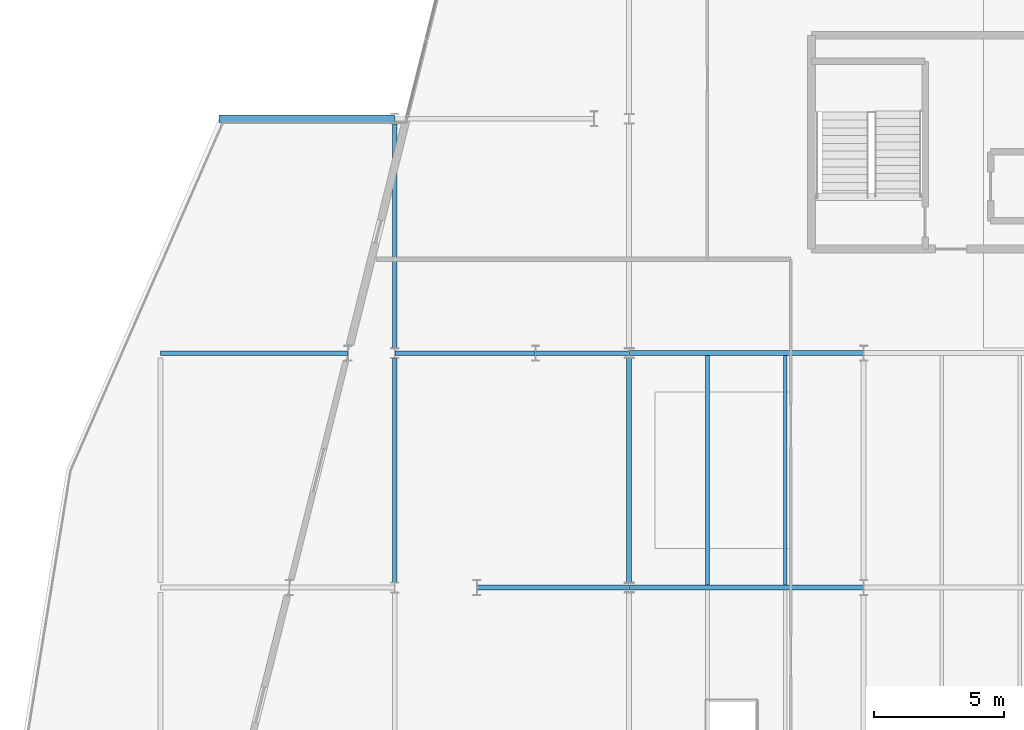
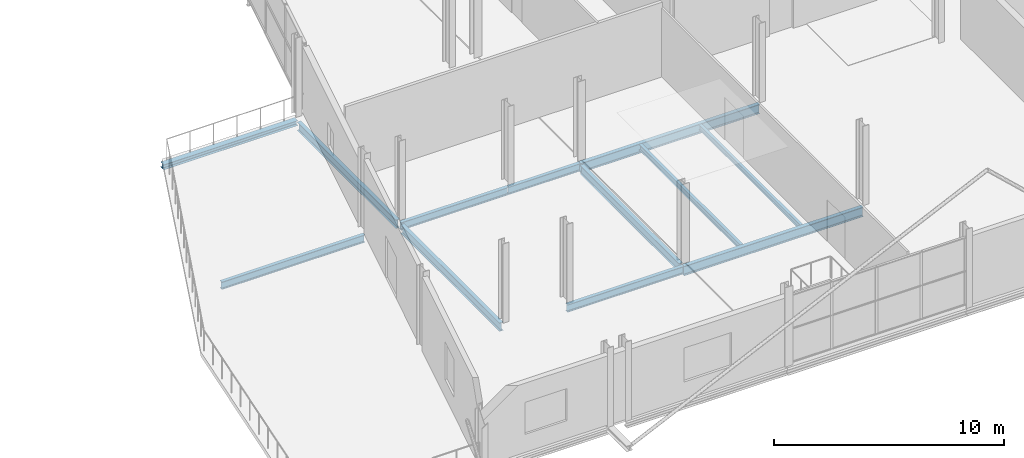
# One storey, part 11 of 59: 12 beams.
"""IFC4 building model written with IfcOpenShell, lengths in metres."""

from ifc_helpers import new_model, si_unit, direction, frame, origin, origin_2d, place, context, subcontext, project, spatial, i_section, extrude, material, material_profile, profile_set, type_object, element, save


model = new_model("IFC4")

# Units and contexts
model_context = context("Model", 3, precision=1e-05, world=origin(), true_north=direction((0.0, 1.0)))
body_context = subcontext(model_context, "Body", "Model", "MODEL_VIEW")
ifc_project = project(units=[si_unit("LENGTHUNIT", "METRE"), si_unit("AREAUNIT", "SQUARE_METRE"), si_unit("VOLUMEUNIT", "CUBIC_METRE"), si_unit("PLANEANGLEUNIT", "RADIAN"), si_unit("MASSUNIT", "GRAM", prefix="KILO")], contexts=[model_context])

# Site, building, storey
site_placement = place(None, origin())
site = spatial("IfcSite", under=ifc_project, at=site_placement, CompositionType="ELEMENT")
building_placement = place(site_placement, origin())
building = spatial("IfcBuilding", under=site, at=building_placement, Name="Deido Ridge Mobility Hub", CompositionType="ELEMENT")
storey_placement = place(building_placement, frame((0.0, 0.0, 21.0)))
storey = spatial("IfcBuildingStorey", under=building, at=storey_placement, Name="L05", CompositionType="ELEMENT", Elevation=21.0)

# Beams
ifc_material = material(Name="Steel S355J2 EN 10025-2", Category="steel")
ifc_material_profile_1 = material_profile(ifc_material, i_section(OverallWidth=0.179931640625, OverallDepth=0.39990234375, WebThickness=0.008544921875, FlangeThickness=0.013427734375, FilletRadius=0.02099609375, at=origin_2d()), Name="IPE 400")
ifc_profile_set_1 = profile_set([ifc_material_profile_1], Name="Steel S355J2 EN 10025-2")
beam_type_1 = type_object("IfcBeamType", Name="BM-IPE400", PredefinedType="BEAM", material=ifc_profile_set_1)
beam_1_placement = place(storey_placement, frame((138.15771484375, 9.0, -0.445068359375), z_axis=(1.0, 0.0, 0.0), x_axis=(0.0, 1.0, 0.0)))
element("IfcBeam", 1, at=beam_1_placement, inside=storey, type_object=beam_type_1, Name="Floor beam B5", PredefinedType="BEAM", context=body_context, shape_type="SweptSolid", body=[
    extrude(i_section(OverallWidth=0.179931640625, OverallDepth=0.39990234375, WebThickness=0.008544921875, FlangeThickness=0.013427734375, FilletRadius=0.02099609375, at=origin_2d()), origin(), (0.0, 0.0, 1.0), 5.83349609375),
])
beam_2_placement = place(storey_placement, frame((126.0087890625, 18.0, -0.445068359375), z_axis=(1.0, 0.0, 0.0), x_axis=(0.0, 1.0, 0.0)))
element("IfcBeam", 2, at=beam_2_placement, inside=storey, type_object=beam_type_1, Name="Floor beam B5", PredefinedType="BEAM", context=body_context, shape_type="SweptSolid", body=[
    extrude(i_section(OverallWidth=0.179931640625, OverallDepth=0.39990234375, WebThickness=0.008544921875, FlangeThickness=0.013427734375, FilletRadius=0.02099609375, at=origin_2d()), origin(), (0.0, 0.0, 1.0), 7.18359375),
])
beam_3_placement = place(storey_placement, frame((135.0068359375, 18.0, -0.445068359375), z_axis=(1.0, 0.0, 0.0), x_axis=(0.0, 1.0, 0.0)))
element("IfcBeam", 3, at=beam_3_placement, inside=storey, type_object=beam_type_1, Name="Floor beam B5", PredefinedType="BEAM", context=body_context, shape_type="SweptSolid", body=[
    extrude(i_section(OverallWidth=0.179931640625, OverallDepth=0.39990234375, WebThickness=0.008544921875, FlangeThickness=0.013427734375, FilletRadius=0.02099609375, at=origin_2d()), origin(), (0.0, 0.0, 1.0), 5.385498046875),
])
beam_4_placement = place(storey_placement, frame((140.40771484375, 18.0, -0.445068359375), z_axis=(1.0, 0.0, 0.0), x_axis=(0.0, 1.0, 0.0)))
element("IfcBeam", 4, at=beam_4_placement, inside=storey, type_object=beam_type_1, Name="Floor beam B5", PredefinedType="BEAM", context=body_context, shape_type="SweptSolid", body=[
    extrude(i_section(OverallWidth=0.179931640625, OverallDepth=0.39990234375, WebThickness=0.008544921875, FlangeThickness=0.013427734375, FilletRadius=0.02099609375, at=origin_2d()), origin(), (0.0, 0.0, 1.0), 3.58349609375),
])
ifc_material_profile_2 = material_profile(ifc_material, i_section(OverallWidth=0.18994140625, OverallDepth=0.449951171875, WebThickness=0.009521484375, FlangeThickness=0.0146484375, FilletRadius=0.02099609375, at=origin_2d()), Name="IPE 450")
ifc_profile_set_2 = profile_set([ifc_material_profile_2], Name="Steel S355J2 EN 10025-2")
beam_type_2 = type_object("IfcBeamType", Name="BM-IPE450", PredefinedType="BEAM", material=ifc_profile_set_2)
for number, where, z_axis, x_axis, name in (
    (5, (135.0, 9.199951171875, -0.469970703125), (0.0, 1.0, 0.0), (-1.0, 0.0, 0.0), "Floor beam B4"),
    (6, (135.0, 18.199951171875, -0.469970703125), (0.0, 1.0, 0.0), (-1.0, 0.0, 0.0), "Floor beam B4"),
):
    element("IfcBeam", number, at=place(storey_placement, frame(where, z_axis=z_axis, x_axis=x_axis)), inside=storey, type_object=beam_type_2, Name=name, PredefinedType="BEAM", context=body_context, shape_type="SweptSolid", body=[
        extrude(i_section(OverallWidth=0.18994140625, OverallDepth=0.449951171875, WebThickness=0.009521484375, FlangeThickness=0.0146484375, FilletRadius=0.02099609375, at=origin_2d()), origin(), (0.0, 0.0, 1.0), 8.60009765625),
    ])
beam_5_placement = place(storey_placement, frame((144.0, 9.196533203125, -0.469970703125), z_axis=(0.0, 1.0, 0.0), x_axis=(-1.0, 0.0, 0.0)))
element("IfcBeam", 7, at=beam_5_placement, inside=storey, type_object=beam_type_2, Name="Floor beam B4", PredefinedType="BEAM", context=body_context, shape_type="SweptSolid", body=[
    extrude(i_section(OverallWidth=0.18994140625, OverallDepth=0.449951171875, WebThickness=0.009521484375, FlangeThickness=0.0146484375, FilletRadius=0.02099609375, at=origin_2d()), origin(), (0.0, 0.0, 1.0), 8.60693359375),
])
ifc_material_profile_3 = material_profile(ifc_material, i_section(OverallWidth=0.199951171875, OverallDepth=0.5, WebThickness=0.01025390625, FlangeThickness=0.01611328125, FilletRadius=0.02099609375, at=origin_2d()), Name="IPE 500")
ifc_profile_set_3 = profile_set([ifc_material_profile_3], Name="Steel S355J2 EN 10025-2")
beam_type_3 = type_object("IfcBeamType", Name="BM-IPE500", PredefinedType="BEAM", material=ifc_profile_set_3)
for number, where, z_axis, x_axis, name in (
    (8, (144.0087890625, 9.0, -0.4951171875), (1.0, 0.0, 0.0), (0.0, 1.0, 0.0), "Floor beam B3"),
    (9, (144.0087890625, 18.0, -0.4951171875), (1.0, 0.0, 0.0), (0.0, 1.0, 0.0), "Floor beam B3"),
):
    element("IfcBeam", number, at=place(storey_placement, frame(where, z_axis=z_axis, x_axis=x_axis)), inside=storey, type_object=beam_type_3, Name=name, PredefinedType="BEAM", context=body_context, shape_type="SweptSolid", body=[
        extrude(i_section(OverallWidth=0.199951171875, OverallDepth=0.5, WebThickness=0.01025390625, FlangeThickness=0.01611328125, FilletRadius=0.02099609375, at=origin_2d()), origin(), (0.0, 0.0, 1.0), 8.9833984375),
    ])
ifc_material_profile_4 = material_profile(ifc_material, i_section(OverallWidth=0.135009765625, OverallDepth=0.27001953125, WebThickness=0.006591796875, FlangeThickness=0.01025390625, FilletRadius=0.014892578125, at=origin_2d()), Name="IPE 270")
ifc_profile_set_4 = profile_set([ifc_material_profile_4], Name="Steel S355J2 EN 10025-2")
beam_type_4 = type_object("IfcBeamType", Name="JST-IPE270", PredefinedType="JOIST", material=ifc_profile_set_4)
beam_6_placement = place(storey_placement, frame((150.0, 9.10009765625, -0.3798828125), z_axis=(0.0, 1.0, 0.0), x_axis=(-1.0, 0.0, 0.0)))
element("IfcBeam", 10, at=beam_6_placement, inside=storey, type_object=beam_type_4, Name="Composite joist J4", PredefinedType="JOIST", context=body_context, shape_type="SweptSolid", body=[
    extrude(i_section(OverallWidth=0.135009765625, OverallDepth=0.27001953125, WebThickness=0.006591796875, FlangeThickness=0.01025390625, FilletRadius=0.014892578125, at=origin_2d()), origin(), (0.0, 0.0, 1.0), 8.7998046875),
])
ifc_material_profile_5 = material_profile(ifc_material, i_section(OverallWidth=0.14990234375, OverallDepth=0.300048828125, WebThickness=0.007080078125, FlangeThickness=0.0107421875, FilletRadius=0.014892578125, at=origin_2d()), Name="IPE 300")
ifc_profile_set_5 = profile_set([ifc_material_profile_5], Name="Steel S355J2 EN 10025-2")
beam_type_5 = type_object("IfcBeamType", Name="JST-IPE300", PredefinedType="JOIST", material=ifc_profile_set_5)
beam_7_placement = place(storey_placement, frame((147.0, 9.10009765625, -0.39501953125), z_axis=(0.0, 1.0, 0.0), x_axis=(-1.0, 0.0, 0.0)))
element("IfcBeam", 11, at=beam_7_placement, inside=storey, type_object=beam_type_5, Name="Composite joist J3", PredefinedType="JOIST", context=body_context, shape_type="SweptSolid", body=[
    extrude(i_section(OverallWidth=0.14990234375, OverallDepth=0.300048828125, WebThickness=0.007080078125, FlangeThickness=0.0107421875, FilletRadius=0.014892578125, at=origin_2d()), origin(), (0.0, 0.0, 1.0), 8.7998046875),
])
ifc_material_profile_6 = material_profile(ifc_material, i_section(OverallWidth=0.280029296875, OverallDepth=0.27001953125, WebThickness=0.008056640625, FlangeThickness=0.012939453125, FilletRadius=0.02392578125, at=origin_2d()), Name="HEA 280")
ifc_profile_set_6 = profile_set([ifc_material_profile_6], Name="Steel S355J2 EN 10025-2")
beam_type_6 = type_object("IfcBeamType", Name="SPD-HEA280", PredefinedType="SPANDREL", material=ifc_profile_set_6)
beam_8_placement = place(storey_placement, frame((128.257080078125, 27.0, -0.375), z_axis=(1.0, 0.0, 0.0), x_axis=(0.0, 1.0, 0.0)))
element("IfcBeam", 12, at=beam_8_placement, inside=storey, type_object=beam_type_6, Name="Floor beam SP2", PredefinedType="SPANDREL", context=body_context, shape_type="SweptSolid", body=[
    extrude(i_section(OverallWidth=0.280029296875, OverallDepth=0.27001953125, WebThickness=0.008056640625, FlangeThickness=0.012939453125, FilletRadius=0.02392578125, at=origin_2d()), origin(), (0.0, 0.0, 1.0), 6.736083984375),
])

save(model, "model.ifc")
